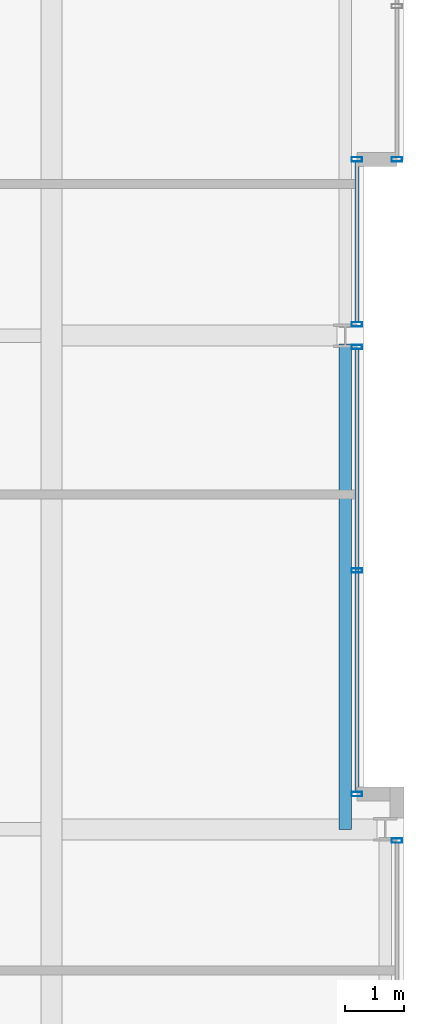
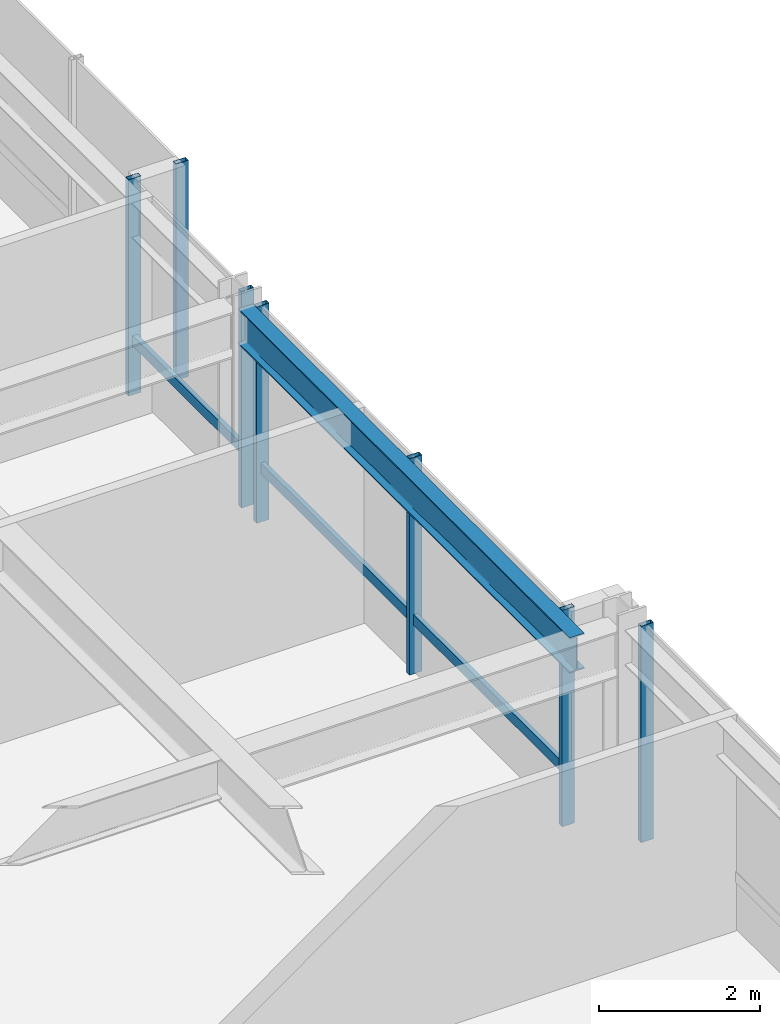
# One storey, part 15 of 33: 9 members, 1 beam, 4 elements without a shape of their own.
"""IFC4 building model written with IfcOpenShell, lengths in metres."""

from ifc_helpers import new_model, si_unit, direction, frame, origin, origin_2d, place, context, subcontext, project, spatial, hollow_rectangle, i_section, extrude, material, layer, layer_set, material_profile, profile_set, type_object, element, aggregate, save


model = new_model("IFC4")

# Units and contexts
model_context = context("Model", 3, precision=1e-05, world=origin(), true_north=direction((0.0, 1.0)))
body_context = subcontext(model_context, "Body", "Model", "MODEL_VIEW")
ifc_project = project(units=[si_unit("LENGTHUNIT", "METRE"), si_unit("AREAUNIT", "SQUARE_METRE"), si_unit("VOLUMEUNIT", "CUBIC_METRE"), si_unit("PLANEANGLEUNIT", "RADIAN"), si_unit("MASSUNIT", "GRAM", prefix="KILO")], contexts=[model_context])

# Site, building, storey
site_placement = place(None, origin())
site = spatial("IfcSite", under=ifc_project, at=site_placement, CompositionType="ELEMENT")
building_placement = place(site_placement, origin())
building = spatial("IfcBuilding", under=site, at=building_placement, Name="Drelvath Grand Hotel", CompositionType="ELEMENT")
storey_placement = place(building_placement, frame((0.0, 0.0, 178.800048828125)))
storey = spatial("IfcBuildingStorey", under=building, at=storey_placement, Name="L46", CompositionType="ELEMENT", Elevation=178.800048828125)

# Curtain wall, member
ifc_material_1 = material(Name="Brushed Pale-Silver Anodised Aluminium Frame", Category="aluminium")
ifc_layer = layer(ifc_material_1, 0.199951171875)
ifc_layer_set = layer_set([ifc_layer], Name="Brushed Pale-Silver Anodised Aluminium Frame")
curtain_wall_type = type_object("IfcCurtainWallType", Name="Stick Curtain Wall CW-04 Brushed Silver Upper-Mid", PredefinedType="NOTDEFINED", material=ifc_layer_set)
curtain_wall_1_placement = place(storey_placement, origin())
curtain_wall_1 = element("IfcCurtainWall", 1, at=curtain_wall_1_placement, inside=storey, type_object=curtain_wall_type, Name="L46 CW-04 Curtain Wall CW04-L46-EM1", PredefinedType="NOTDEFINED")
ifc_material_profile_1 = material_profile(ifc_material_1, hollow_rectangle(XDim=0.06494140625, YDim=0.159912109375, WallThickness=0.00390625, at=origin_2d()), Name="HSS160X65X4")
ifc_profile_set_1 = profile_set([ifc_material_profile_1], Name="Brushed Pale-Silver Anodised Aluminium Frame")
member_type_1 = type_object("IfcMemberType", Name="Curtain Wall Horizontal Transom CW-04 HSS160X65X4", PredefinedType="USERDEFINED", material=ifc_profile_set_1)
member_1_placement = place(storey_placement, frame((21.39990234375, 26.768310546875, 0.822509765625), z_axis=(0.0, -1.0, 0.0), x_axis=(1.0, 0.0, 0.0)))
member_1 = element("IfcMember", 2, at=member_1_placement, type_object=member_type_1, Name="CW04-L46-EM1 Sill Transom", ObjectType="TRANSOM", PredefinedType="USERDEFINED", context=body_context, shape_type="SweptSolid", body=[
    extrude(hollow_rectangle(XDim=0.06494140625, YDim=0.159912109375, WallThickness=0.00390625, at=origin_2d()), origin(), (0.0, 0.0, 1.0), 7.5283203125),
])

curtain_wall_2_placement = place(storey_placement, origin())
curtain_wall_2 = element("IfcCurtainWall", 3, at=curtain_wall_2_placement, inside=storey, type_object=curtain_wall_type, Name="L46 CW-04 Curtain Wall CW04-L46-EM2", PredefinedType="NOTDEFINED")
member_2_placement = place(storey_placement, frame((21.39990234375, 29.9599609375, 0.822509765625), z_axis=(0.0, -1.0, 0.0), x_axis=(1.0, 0.0, 0.0)))
member_2 = element("IfcMember", 4, at=member_2_placement, type_object=member_type_1, Name="CW04-L46-EM2 Sill Transom", ObjectType="TRANSOM", PredefinedType="USERDEFINED", context=body_context, shape_type="SweptSolid", body=[
    extrude(hollow_rectangle(XDim=0.06494140625, YDim=0.159912109375, WallThickness=0.00390625, at=origin_2d()), origin(), (0.0, 0.0, 1.0), 2.728271484375),
])

curtain_wall_3_placement = place(storey_placement, origin())
curtain_wall_3 = element("IfcCurtainWall", 5, at=curtain_wall_3_placement, inside=storey, type_object=curtain_wall_type, Name="L46 CW-04 Curtain Wall CW04-L46-EN1", PredefinedType="NOTDEFINED")
ifc_material_profile_2 = material_profile(ifc_material_1, hollow_rectangle(XDim=0.074951171875, YDim=0.179931640625, WallThickness=0.0048828125, at=origin_2d()), Name="HSS180X75X5")
ifc_profile_set_2 = profile_set([ifc_material_profile_2], Name="Brushed Pale-Silver Anodised Aluminium Frame")
member_type_2 = type_object("IfcMemberType", Name="Curtain Wall Vertical Mullion CW-04 HSS180X75X5", PredefinedType="MULLION", material=ifc_profile_set_2)
member_3_placement = place(storey_placement, frame((22.080078125, 30.0, 0.0), z_axis=(0.0, 0.0, 1.0), x_axis=(0.0, 1.0, 0.0)))
member_3 = element("IfcMember", 6, at=member_3_placement, type_object=member_type_2, Name="CW04-L46-EN1 Mullion 3", PredefinedType="MULLION", context=body_context, shape_type="SweptSolid", body=[
    extrude(hollow_rectangle(XDim=0.074951171875, YDim=0.179931640625, WallThickness=0.0048828125, at=origin_2d()), origin(), (0.0, 0.0, 1.0), 3.2900390625),
])
aggregate(curtain_wall_3, [member_3])

# Member
member_4_placement = place(storey_placement, frame((21.39990234375, 26.808349609375, 0.0), z_axis=(0.0, 0.0, 1.0), x_axis=(0.0, 1.0, 0.0)))
member_4 = element("IfcMember", 7, at=member_4_placement, type_object=member_type_2, Name="CW04-L46-EM1 Mullion 1", PredefinedType="MULLION", context=body_context, shape_type="SweptSolid", body=[
    extrude(hollow_rectangle(XDim=0.074951171875, YDim=0.179931640625, WallThickness=0.0048828125, at=origin_2d()), origin(), (0.0, 0.0, 1.0), 3.2900390625),
])

member_5_placement = place(storey_placement, frame((21.39990234375, 23.004150390625, 0.0), z_axis=(0.0, 0.0, 1.0), x_axis=(0.0, 1.0, 0.0)))
member_5 = element("IfcMember", 8, at=member_5_placement, type_object=member_type_2, Name="CW04-L46-EM1 Mullion 2", PredefinedType="MULLION", context=body_context, shape_type="SweptSolid", body=[
    extrude(hollow_rectangle(XDim=0.074951171875, YDim=0.179931640625, WallThickness=0.0048828125, at=origin_2d()), origin(), (0.0, 0.0, 1.0), 3.2900390625),
])

member_6_placement = place(storey_placement, frame((21.39990234375, 19.199951171875, 0.0), z_axis=(0.0, 0.0, 1.0), x_axis=(0.0, 1.0, 0.0)))
member_6 = element("IfcMember", 9, at=member_6_placement, type_object=member_type_2, Name="CW04-L46-EM1 Mullion 3", PredefinedType="MULLION", context=body_context, shape_type="SweptSolid", body=[
    extrude(hollow_rectangle(XDim=0.074951171875, YDim=0.179931640625, WallThickness=0.0048828125, at=origin_2d()), origin(), (0.0, 0.0, 1.0), 3.2900390625),
])

aggregate(curtain_wall_1, [member_4, member_5, member_6, member_1])

member_7_placement = place(storey_placement, frame((21.39990234375, 30.0, 0.0), z_axis=(0.0, 0.0, 1.0), x_axis=(0.0, 1.0, 0.0)))
member_7 = element("IfcMember", 10, at=member_7_placement, type_object=member_type_2, Name="CW04-L46-EM2 Mullion 1", PredefinedType="MULLION", context=body_context, shape_type="SweptSolid", body=[
    extrude(hollow_rectangle(XDim=0.074951171875, YDim=0.179931640625, WallThickness=0.0048828125, at=origin_2d()), origin(), (0.0, 0.0, 1.0), 3.2900390625),
])

member_8_placement = place(storey_placement, frame((21.39990234375, 27.191650390625, 0.0), z_axis=(0.0, 0.0, 1.0), x_axis=(0.0, 1.0, 0.0)))
member_8 = element("IfcMember", 11, at=member_8_placement, type_object=member_type_2, Name="CW04-L46-EM2 Mullion 2", PredefinedType="MULLION", context=body_context, shape_type="SweptSolid", body=[
    extrude(hollow_rectangle(XDim=0.074951171875, YDim=0.179931640625, WallThickness=0.0048828125, at=origin_2d()), origin(), (0.0, 0.0, 1.0), 3.2900390625),
])

aggregate(curtain_wall_2, [member_7, member_8, member_2])

# Curtain wall, member
curtain_wall_4_placement = place(storey_placement, origin())
curtain_wall_4 = element("IfcCurtainWall", 12, at=curtain_wall_4_placement, inside=storey, type_object=curtain_wall_type, Name="L46 CW-04 Curtain Wall CW04-L46-ES2", PredefinedType="NOTDEFINED")
member_9_placement = place(storey_placement, frame((22.080078125, 18.408447265625, 0.0), z_axis=(0.0, 0.0, 1.0), x_axis=(0.0, 1.0, 0.0)))
member_9 = element("IfcMember", 13, at=member_9_placement, type_object=member_type_2, Name="CW04-L46-ES2 Mullion 1", PredefinedType="MULLION", context=body_context, shape_type="SweptSolid", body=[
    extrude(hollow_rectangle(XDim=0.074951171875, YDim=0.179931640625, WallThickness=0.0048828125, at=origin_2d()), origin(), (0.0, 0.0, 1.0), 3.2900390625),
])
aggregate(curtain_wall_4, [member_9])

# Beam
ifc_material_2 = material(Name="Steel ASTM A992 Gr 50", Category="steel")
ifc_material_profile_3 = material_profile(ifc_material_2, i_section(OverallWidth=0.210205078125, OverallDepth=0.53662109375, WebThickness=0.010986328125, FlangeThickness=0.017333984375, FilletRadius=0.01806640625, at=origin_2d()), Name="W21X68")
ifc_profile_set_3 = profile_set([ifc_material_profile_3], Name="Steel ASTM A992 Gr 50")
beam_type = type_object("IfcBeamType", Name="Perimeter Spandrel Beam W21X68", PredefinedType="SPANDREL", material=ifc_profile_set_3)
beam_placement = place(storey_placement, frame((21.199951171875, 18.60009765625, 3.021728515625), z_axis=(0.0, 1.0, 0.0), x_axis=(-1.0, 0.0, 0.0)))
element("IfcBeam", 14, at=beam_placement, inside=storey, type_object=beam_type, Name="L46 Spandrel East Mid S", PredefinedType="SPANDREL", context=body_context, shape_type="SweptSolid", body=[
    extrude(i_section(OverallWidth=0.210205078125, OverallDepth=0.53662109375, WebThickness=0.010986328125, FlangeThickness=0.017333984375, FilletRadius=0.01806640625, at=origin_2d()), origin(), (0.0, 0.0, 1.0), 8.260009765625),
])

save(model, "model.ifc")
